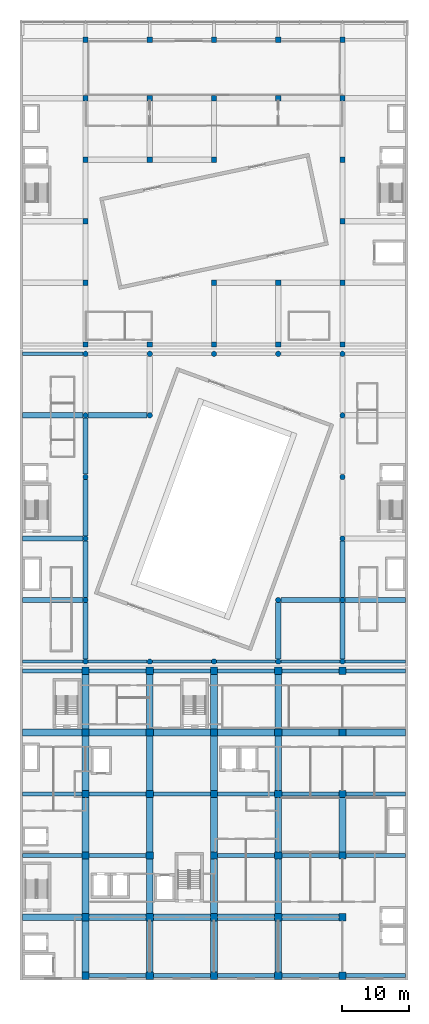
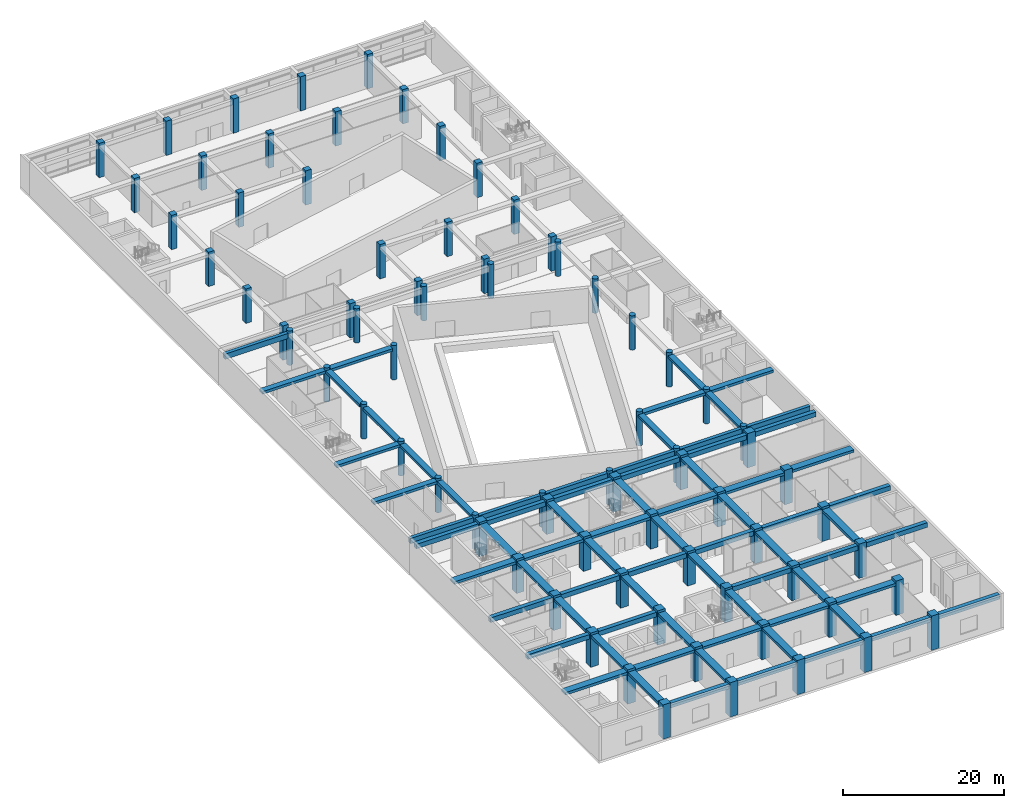
# One storey, part 1 of 31: 75 columns, 74 beams.
"""IFC4 building model written with IfcOpenShell, lengths in metres."""

from ifc_helpers import new_model, si_unit, direction, frame, origin, origin_2d, place, context, subcontext, project, spatial, rectangle, circle, extrude, material, material_profile, profile_set, type_object, element, save


model = new_model("IFC4")

# Units and contexts
model_context = context("Model", 3, precision=1e-05, world=origin(), true_north=direction((0.0, 1.0)))
body_context = subcontext(model_context, "Body", "Model", "MODEL_VIEW")
ifc_project = project(units=[si_unit("LENGTHUNIT", "METRE"), si_unit("AREAUNIT", "SQUARE_METRE"), si_unit("VOLUMEUNIT", "CUBIC_METRE"), si_unit("PLANEANGLEUNIT", "RADIAN"), si_unit("MASSUNIT", "GRAM", prefix="KILO")], contexts=[model_context])

# Site, building, storey
site_placement = place(None, origin())
site = spatial("IfcSite", under=ifc_project, at=site_placement, CompositionType="ELEMENT")
building_placement = place(site_placement, origin())
building = spatial("IfcBuilding", under=site, at=building_placement, Name="Nzadi Deep Aquarium and Research Tower", CompositionType="ELEMENT")
storey_placement = place(building_placement, frame((0.0, 0.0, 26.699951171875)))
storey = spatial("IfcBuildingStorey", under=building, at=storey_placement, Name="L04", CompositionType="ELEMENT", Elevation=26.699951171875)

# Columns
ifc_material_1 = material(Name="Concrete C40/50", Category="concrete")
ifc_material_profile_1 = material_profile(ifc_material_1, rectangle(XDim=1.10009765625, YDim=1.10009765625, at=origin_2d()))
ifc_profile_set_1 = profile_set([ifc_material_profile_1], Name="Concrete C40/50")
column_type_1 = type_object("IfcColumnType", Name="RC 1100x1100", PredefinedType="COLUMN", material=ifc_profile_set_1)
for number, where, z_axis, x_axis, name in (
    (1, (9.60009765625, 0.449951171875, 0.0), (0.0, 0.0, 1.0), (1.0, 0.0, 0.0), "C-Z1-L04-B1"),
    (2, (19.199951171875, 0.449951171875, 0.0), (0.0, 0.0, 1.0), (1.0, 0.0, 0.0), "C-Z1-L04-C1"),
    (3, (28.800048828125, 0.449951171875, 0.0), (0.0, 0.0, 1.0), (1.0, 0.0, 0.0), "C-Z1-L04-D1"),
    (4, (38.39990234375, 0.449951171875, 0.0), (0.0, 0.0, 1.0), (1.0, 0.0, 0.0), "C-Z1-L04-E1"),
    (5, (48.0, 0.449951171875, 0.0), (0.0, 0.0, 1.0), (1.0, 0.0, 0.0), "C-Z1-L04-F1"),
    (6, (9.60009765625, 9.199951171875, 0.0), (0.0, 0.0, 1.0), (1.0, 0.0, 0.0), "C-Z1-L04-B2"),
    (7, (19.199951171875, 9.199951171875, 0.0), (0.0, 0.0, 1.0), (1.0, 0.0, 0.0), "C-Z1-L04-C2"),
    (8, (28.800048828125, 9.199951171875, 0.0), (0.0, 0.0, 1.0), (1.0, 0.0, 0.0), "C-Z1-L04-D2"),
    (9, (38.39990234375, 9.199951171875, 0.0), (0.0, 0.0, 1.0), (1.0, 0.0, 0.0), "C-Z1-L04-E2"),
    (10, (48.0, 9.199951171875, 0.0), (0.0, 0.0, 1.0), (1.0, 0.0, 0.0), "C-Z1-L04-F2"),
    (11, (9.60009765625, 18.39990234375, 0.0), (0.0, 0.0, 1.0), (1.0, 0.0, 0.0), "C-Z1-L04-B3"),
    (12, (19.199951171875, 18.39990234375, 0.0), (0.0, 0.0, 1.0), (1.0, 0.0, 0.0), "C-Z1-L04-C3"),
    (13, (28.800048828125, 18.39990234375, 0.0), (0.0, 0.0, 1.0), (1.0, 0.0, 0.0), "C-Z1-L04-D3"),
    (14, (38.39990234375, 18.39990234375, 0.0), (0.0, 0.0, 1.0), (1.0, 0.0, 0.0), "C-Z1-L04-E3"),
    (15, (48.0, 18.39990234375, 0.0), (0.0, 0.0, 1.0), (1.0, 0.0, 0.0), "C-Z1-L04-F3"),
    (16, (9.60009765625, 27.60009765625, 0.0), (0.0, 0.0, 1.0), (1.0, 0.0, 0.0), "C-Z1-L04-B4"),
    (17, (19.199951171875, 27.60009765625, 0.0), (0.0, 0.0, 1.0), (1.0, 0.0, 0.0), "C-Z1-L04-C4"),
    (18, (28.800048828125, 27.60009765625, 0.0), (0.0, 0.0, 1.0), (1.0, 0.0, 0.0), "C-Z1-L04-D4"),
    (19, (38.39990234375, 27.60009765625, 0.0), (0.0, 0.0, 1.0), (1.0, 0.0, 0.0), "C-Z1-L04-E4"),
    (20, (48.0, 27.60009765625, 0.0), (0.0, 0.0, 1.0), (1.0, 0.0, 0.0), "C-Z1-L04-F4"),
    (21, (9.60009765625, 36.800048828125, 0.0), (0.0, 0.0, 1.0), (1.0, 0.0, 0.0), "C-Z1-L04-B5"),
    (22, (19.199951171875, 36.800048828125, 0.0), (0.0, 0.0, 1.0), (1.0, 0.0, 0.0), "C-Z1-L04-C5"),
    (23, (28.800048828125, 36.800048828125, 0.0), (0.0, 0.0, 1.0), (1.0, 0.0, 0.0), "C-Z1-L04-D5"),
    (24, (38.39990234375, 36.800048828125, 0.0), (0.0, 0.0, 1.0), (1.0, 0.0, 0.0), "C-Z1-L04-E5"),
    (25, (48.0, 36.800048828125, 0.0), (0.0, 0.0, 1.0), (1.0, 0.0, 0.0), "C-Z1-L04-F5"),
    (26, (9.60009765625, 46.0, 0.0), (0.0, 0.0, 1.0), (1.0, 0.0, 0.0), "C-Z1-L04-B6"),
    (27, (19.199951171875, 46.0, 0.0), (0.0, 0.0, 1.0), (1.0, 0.0, 0.0), "C-Z1-L04-C6"),
    (28, (28.800048828125, 46.0, 0.0), (0.0, 0.0, 1.0), (1.0, 0.0, 0.0), "C-Z1-L04-D6"),
    (29, (38.39990234375, 46.0, 0.0), (0.0, 0.0, 1.0), (1.0, 0.0, 0.0), "C-Z1-L04-E6"),
    (30, (48.0, 46.0, 0.0), (0.0, 0.0, 1.0), (1.0, 0.0, 0.0), "C-Z1-L04-F6"),
):
    element("IfcColumn", number, at=place(storey_placement, frame(where, z_axis=z_axis, x_axis=x_axis)), inside=storey, type_object=column_type_1, Name=name, PredefinedType="COLUMN", context=body_context, shape_type="SweptSolid", body=[
        extrude(rectangle(XDim=1.10009765625, YDim=1.10009765625, at=origin_2d()), origin(), (0.0, 0.0, 1.0), 5.199951171875),
    ])
ifc_material_2 = material(Name="Concrete C40/50", Category="concrete")
ifc_material_profile_2 = material_profile(ifc_material_2, rectangle(XDim=0.800048828125, YDim=0.800048828125, at=origin_2d()))
ifc_profile_set_2 = profile_set([ifc_material_profile_2], Name="Concrete C40/50")
column_type_2 = type_object("IfcColumnType", Name="RC 800x800", PredefinedType="COLUMN", material=ifc_profile_set_2)
for number, where, z_axis, x_axis, name in (
    (31, (9.60009765625, 94.800048828125, 0.0), (0.0, 0.0, 1.0), (1.0, 0.0, 0.0), "C-Z3-L04-B13"),
    (32, (19.199951171875, 94.800048828125, 0.0), (0.0, 0.0, 1.0), (1.0, 0.0, 0.0), "C-Z3-L04-C13"),
    (33, (28.800048828125, 94.800048828125, 0.0), (0.0, 0.0, 1.0), (1.0, 0.0, 0.0), "C-Z3-L04-D13"),
    (34, (38.39990234375, 94.800048828125, 0.0), (0.0, 0.0, 1.0), (1.0, 0.0, 0.0), "C-Z3-L04-E13"),
    (35, (48.0, 94.800048828125, 0.0), (0.0, 0.0, 1.0), (1.0, 0.0, 0.0), "C-Z3-L04-F13"),
    (36, (9.60009765625, 104.0, 0.0), (0.0, 0.0, 1.0), (1.0, 0.0, 0.0), "C-Z3-L04-B14"),
    (37, (28.800048828125, 104.0, 0.0), (0.0, 0.0, 1.0), (1.0, 0.0, 0.0), "C-Z3-L04-D14"),
    (38, (38.39990234375, 104.0, 0.0), (0.0, 0.0, 1.0), (1.0, 0.0, 0.0), "C-Z3-L04-E14"),
    (39, (48.0, 104.0, 0.0), (0.0, 0.0, 1.0), (1.0, 0.0, 0.0), "C-Z3-L04-F14"),
    (40, (9.60009765625, 113.199951171875, 0.0), (0.0, 0.0, 1.0), (1.0, 0.0, 0.0), "C-Z3-L04-B15"),
    (41, (48.0, 113.199951171875, 0.0), (0.0, 0.0, 1.0), (1.0, 0.0, 0.0), "C-Z3-L04-F15"),
    (42, (9.60009765625, 122.39990234375, 0.0), (0.0, 0.0, 1.0), (1.0, 0.0, 0.0), "C-Z3-L04-B16"),
    (43, (19.199951171875, 122.39990234375, 0.0), (0.0, 0.0, 1.0), (1.0, 0.0, 0.0), "C-Z3-L04-C16"),
    (44, (28.800048828125, 122.39990234375, 0.0), (0.0, 0.0, 1.0), (1.0, 0.0, 0.0), "C-Z3-L04-D16"),
    (45, (48.0, 122.39990234375, 0.0), (0.0, 0.0, 1.0), (1.0, 0.0, 0.0), "C-Z3-L04-F16"),
    (46, (9.60009765625, 131.60009765625, 0.0), (0.0, 0.0, 1.0), (1.0, 0.0, 0.0), "C-Z3-L04-B17"),
    (47, (19.199951171875, 131.60009765625, 0.0), (0.0, 0.0, 1.0), (1.0, 0.0, 0.0), "C-Z3-L04-C17"),
    (48, (28.800048828125, 131.60009765625, 0.0), (0.0, 0.0, 1.0), (1.0, 0.0, 0.0), "C-Z3-L04-D17"),
    (49, (38.39990234375, 131.60009765625, 0.0), (0.0, 0.0, 1.0), (1.0, 0.0, 0.0), "C-Z3-L04-E17"),
    (50, (48.0, 131.60009765625, 0.0), (0.0, 0.0, 1.0), (1.0, 0.0, 0.0), "C-Z3-L04-F17"),
    (51, (9.60009765625, 140.35009765625, 0.0), (0.0, 0.0, 1.0), (1.0, 0.0, 0.0), "C-Z3-L04-B18"),
    (52, (19.199951171875, 140.35009765625, 0.0), (0.0, 0.0, 1.0), (1.0, 0.0, 0.0), "C-Z3-L04-C18"),
    (53, (28.800048828125, 140.35009765625, 0.0), (0.0, 0.0, 1.0), (1.0, 0.0, 0.0), "C-Z3-L04-D18"),
    (54, (38.39990234375, 140.35009765625, 0.0), (0.0, 0.0, 1.0), (1.0, 0.0, 0.0), "C-Z3-L04-E18"),
    (55, (48.0, 140.35009765625, 0.0), (0.0, 0.0, 1.0), (1.0, 0.0, 0.0), "C-Z3-L04-F18"),
):
    element("IfcColumn", number, at=place(storey_placement, frame(where, z_axis=z_axis, x_axis=x_axis)), inside=storey, type_object=column_type_2, Name=name, PredefinedType="COLUMN", context=body_context, shape_type="SweptSolid", body=[
        extrude(rectangle(XDim=0.800048828125, YDim=0.800048828125, at=origin_2d()), origin(), (0.0, 0.0, 1.0), 5.199951171875),
    ])
ifc_material_3 = material(Name="Concrete C40/50", Category="concrete")
ifc_material_profile_3 = material_profile(ifc_material_3, circle(Radius=0.39990234375, at=origin_2d()))
ifc_profile_set_3 = profile_set([ifc_material_profile_3], Name="Concrete C40/50")
column_type_3 = type_object("IfcColumnType", Name="RC D800", PredefinedType="COLUMN", material=ifc_profile_set_3)
for number, where, z_axis, x_axis, name in (
    (56, (9.60009765625, 47.39990234375, 0.0), (0.0, 0.0, 1.0), (1.0, 0.0, 0.0), "C-Z2-L04-B7"),
    (57, (19.199951171875, 47.39990234375, 0.0), (0.0, 0.0, 1.0), (1.0, 0.0, 0.0), "C-Z2-L04-C7"),
    (58, (28.800048828125, 47.39990234375, 0.0), (0.0, 0.0, 1.0), (1.0, 0.0, 0.0), "C-Z2-L04-D7"),
    (59, (38.39990234375, 47.39990234375, 0.0), (0.0, 0.0, 1.0), (1.0, 0.0, 0.0), "C-Z2-L04-E7"),
    (60, (48.0, 47.39990234375, 0.0), (0.0, 0.0, 1.0), (1.0, 0.0, 0.0), "C-Z2-L04-F7"),
    (61, (9.60009765625, 56.60009765625, 0.0), (0.0, 0.0, 1.0), (1.0, 0.0, 0.0), "C-Z2-L04-B8"),
    (62, (38.39990234375, 56.60009765625, 0.0), (0.0, 0.0, 1.0), (1.0, 0.0, 0.0), "C-Z2-L04-E8"),
    (63, (48.0, 56.60009765625, 0.0), (0.0, 0.0, 1.0), (1.0, 0.0, 0.0), "C-Z2-L04-F8"),
    (64, (9.60009765625, 65.800048828125, 0.0), (0.0, 0.0, 1.0), (1.0, 0.0, 0.0), "C-Z2-L04-B9"),
    (65, (48.0, 65.800048828125, 0.0), (0.0, 0.0, 1.0), (1.0, 0.0, 0.0), "C-Z2-L04-F9"),
    (66, (9.60009765625, 75.0, 0.0), (0.0, 0.0, 1.0), (1.0, 0.0, 0.0), "C-Z2-L04-B10"),
    (67, (48.0, 75.0, 0.0), (0.0, 0.0, 1.0), (1.0, 0.0, 0.0), "C-Z2-L04-F10"),
    (68, (9.60009765625, 84.199951171875, 0.0), (0.0, 0.0, 1.0), (1.0, 0.0, 0.0), "C-Z2-L04-B11"),
    (69, (19.199951171875, 84.199951171875, 0.0), (0.0, 0.0, 1.0), (1.0, 0.0, 0.0), "C-Z2-L04-C11"),
    (70, (48.0, 84.199951171875, 0.0), (0.0, 0.0, 1.0), (1.0, 0.0, 0.0), "C-Z2-L04-F11"),
    (71, (9.60009765625, 93.39990234375, 0.0), (0.0, 0.0, 1.0), (1.0, 0.0, 0.0), "C-Z2-L04-B12"),
    (72, (19.199951171875, 93.39990234375, 0.0), (0.0, 0.0, 1.0), (1.0, 0.0, 0.0), "C-Z2-L04-C12"),
    (73, (28.800048828125, 93.39990234375, 0.0), (0.0, 0.0, 1.0), (1.0, 0.0, 0.0), "C-Z2-L04-D12"),
    (74, (38.39990234375, 93.39990234375, 0.0), (0.0, 0.0, 1.0), (1.0, 0.0, 0.0), "C-Z2-L04-E12"),
    (75, (48.0, 93.39990234375, 0.0), (0.0, 0.0, 1.0), (1.0, 0.0, 0.0), "C-Z2-L04-F12"),
):
    element("IfcColumn", number, at=place(storey_placement, frame(where, z_axis=z_axis, x_axis=x_axis)), inside=storey, type_object=column_type_3, Name=name, PredefinedType="COLUMN", context=body_context, shape_type="SweptSolid", body=[
        extrude(circle(Radius=0.39990234375, at=origin_2d()), origin(), (0.0, 0.0, 1.0), 5.199951171875),
    ])

# Beams
ifc_material_4 = material(Name="Concrete C35/45", Category="concrete")
ifc_material_profile_4 = material_profile(ifc_material_4, rectangle(XDim=1.0, YDim=0.39990234375, at=origin_2d()))
ifc_profile_set_4 = profile_set([ifc_material_profile_4], Name="Concrete C35/45")
beam_type_1 = type_object("IfcBeamType", Name="RC 1000x400", PredefinedType="BEAM", material=ifc_profile_set_4)
beam_1_placement = place(storey_placement, frame((0.199951171875, 9.199951171875, 4.650146484375), z_axis=(1.0, 0.0, 0.0), x_axis=(0.0, 1.0, 0.0)))
element("IfcBeam", 76, at=beam_1_placement, inside=storey, type_object=beam_type_1, Name="B-Z1-L04-L2-1", PredefinedType="BEAM", context=body_context, shape_type="SweptSolid", body=[
    extrude(rectangle(XDim=1.0, YDim=0.39990234375, at=origin_2d()), origin(), (0.0, 0.0, 1.0), 8.85009765625),
])
for number, where, z_axis, x_axis, name in (
    (77, (10.14990234375, 9.199951171875, 4.650146484375), (1.0, 0.0, 0.0), (0.0, 1.0, 0.0), "B-Z1-L04-L2-2"),
    (78, (19.75, 9.199951171875, 4.650146484375), (1.0, 0.0, 0.0), (0.0, 1.0, 0.0), "B-Z1-L04-L2-3"),
    (79, (29.35009765625, 9.199951171875, 4.650146484375), (1.0, 0.0, 0.0), (0.0, 1.0, 0.0), "B-Z1-L04-L2-4"),
    (80, (38.949951171875, 9.199951171875, 4.650146484375), (1.0, 0.0, 0.0), (0.0, 1.0, 0.0), "B-Z1-L04-L2-5"),
):
    element("IfcBeam", number, at=place(storey_placement, frame(where, z_axis=z_axis, x_axis=x_axis)), inside=storey, type_object=beam_type_1, Name=name, PredefinedType="BEAM", context=body_context, shape_type="SweptSolid", body=[
        extrude(rectangle(XDim=1.0, YDim=0.39990234375, at=origin_2d()), origin(), (0.0, 0.0, 1.0), 8.5),
    ])
beam_2_placement = place(storey_placement, frame((0.199951171875, 36.800048828125, 4.650146484375), z_axis=(1.0, 0.0, 0.0), x_axis=(0.0, 1.0, 0.0)))
element("IfcBeam", 81, at=beam_2_placement, inside=storey, type_object=beam_type_1, Name="B-Z1-L04-L5-1", PredefinedType="BEAM", context=body_context, shape_type="SweptSolid", body=[
    extrude(rectangle(XDim=1.0, YDim=0.39990234375, at=origin_2d()), origin(), (0.0, 0.0, 1.0), 8.85009765625),
])
for number, where, z_axis, x_axis, name in (
    (82, (10.14990234375, 36.800048828125, 4.650146484375), (1.0, 0.0, 0.0), (0.0, 1.0, 0.0), "B-Z1-L04-L5-2"),
    (83, (19.75, 36.800048828125, 4.650146484375), (1.0, 0.0, 0.0), (0.0, 1.0, 0.0), "B-Z1-L04-L5-3"),
    (84, (29.35009765625, 36.800048828125, 4.650146484375), (1.0, 0.0, 0.0), (0.0, 1.0, 0.0), "B-Z1-L04-L5-4"),
    (85, (38.949951171875, 36.800048828125, 4.650146484375), (1.0, 0.0, 0.0), (0.0, 1.0, 0.0), "B-Z1-L04-L5-5"),
):
    element("IfcBeam", number, at=place(storey_placement, frame(where, z_axis=z_axis, x_axis=x_axis)), inside=storey, type_object=beam_type_1, Name=name, PredefinedType="BEAM", context=body_context, shape_type="SweptSolid", body=[
        extrude(rectangle(XDim=1.0, YDim=0.39990234375, at=origin_2d()), origin(), (0.0, 0.0, 1.0), 8.5),
    ])
beam_3_placement = place(storey_placement, frame((48.550048828125, 36.800048828125, 4.650146484375), z_axis=(1.0, 0.0, 0.0), x_axis=(0.0, 1.0, 0.0)))
element("IfcBeam", 86, at=beam_3_placement, inside=storey, type_object=beam_type_1, Name="B-Z1-L04-L5-6", PredefinedType="BEAM", context=body_context, shape_type="SweptSolid", body=[
    extrude(rectangle(XDim=1.0, YDim=0.39990234375, at=origin_2d()), origin(), (0.0, 0.0, 1.0), 8.849853515625),
])
beam_4_placement = place(storey_placement, frame((9.60009765625, 1.0, 4.650146484375), z_axis=(0.0, 1.0, 0.0), x_axis=(-1.0, 0.0, 0.0)))
element("IfcBeam", 87, at=beam_4_placement, inside=storey, type_object=beam_type_1, Name="B-Z1-L04-CB-1-1", PredefinedType="BEAM", context=body_context, shape_type="SweptSolid", body=[
    extrude(rectangle(XDim=1.0, YDim=0.39990234375, at=origin_2d()), origin(), (0.0, 0.0, 1.0), 7.64990234375),
])
for number, where, z_axis, x_axis, name in (
    (88, (9.60009765625, 9.75, 4.650146484375), (0.0, 1.0, 0.0), (-1.0, 0.0, 0.0), "B-Z1-L04-CB-2-1"),
    (89, (9.60009765625, 18.949951171875, 4.650146484375), (0.0, 1.0, 0.0), (-1.0, 0.0, 0.0), "B-Z1-L04-CB-3-1"),
    (90, (9.60009765625, 28.14990234375, 4.650146484375), (0.0, 1.0, 0.0), (-1.0, 0.0, 0.0), "B-Z1-L04-CB-4-1"),
):
    element("IfcBeam", number, at=place(storey_placement, frame(where, z_axis=z_axis, x_axis=x_axis)), inside=storey, type_object=beam_type_1, Name=name, PredefinedType="BEAM", context=body_context, shape_type="SweptSolid", body=[
        extrude(rectangle(XDim=1.0, YDim=0.39990234375, at=origin_2d()), origin(), (0.0, 0.0, 1.0), 8.10009765625),
    ])
beam_5_placement = place(storey_placement, frame((9.60009765625, 37.35009765625, 4.650146484375), z_axis=(0.0, 1.0, 0.0), x_axis=(-1.0, 0.0, 0.0)))
element("IfcBeam", 91, at=beam_5_placement, inside=storey, type_object=beam_type_1, Name="B-Z1-L04-CB-5-1", PredefinedType="BEAM", context=body_context, shape_type="SweptSolid", body=[
    extrude(rectangle(XDim=1.0, YDim=0.39990234375, at=origin_2d()), origin(), (0.0, 0.0, 1.0), 8.099853515625),
])
beam_6_placement = place(storey_placement, frame((19.199951171875, 1.0, 4.650146484375), z_axis=(0.0, 1.0, 0.0), x_axis=(-1.0, 0.0, 0.0)))
element("IfcBeam", 92, at=beam_6_placement, inside=storey, type_object=beam_type_1, Name="B-Z1-L04-CC-1-1", PredefinedType="BEAM", context=body_context, shape_type="SweptSolid", body=[
    extrude(rectangle(XDim=1.0, YDim=0.39990234375, at=origin_2d()), origin(), (0.0, 0.0, 1.0), 7.64990234375),
])
for number, where, z_axis, x_axis, name in (
    (93, (19.199951171875, 9.75, 4.650146484375), (0.0, 1.0, 0.0), (-1.0, 0.0, 0.0), "B-Z1-L04-CC-2-1"),
    (94, (19.199951171875, 18.949951171875, 4.650146484375), (0.0, 1.0, 0.0), (-1.0, 0.0, 0.0), "B-Z1-L04-CC-3-1"),
    (95, (19.199951171875, 28.14990234375, 4.650146484375), (0.0, 1.0, 0.0), (-1.0, 0.0, 0.0), "B-Z1-L04-CC-4-1"),
):
    element("IfcBeam", number, at=place(storey_placement, frame(where, z_axis=z_axis, x_axis=x_axis)), inside=storey, type_object=beam_type_1, Name=name, PredefinedType="BEAM", context=body_context, shape_type="SweptSolid", body=[
        extrude(rectangle(XDim=1.0, YDim=0.39990234375, at=origin_2d()), origin(), (0.0, 0.0, 1.0), 8.10009765625),
    ])
beam_7_placement = place(storey_placement, frame((19.199951171875, 37.35009765625, 4.650146484375), z_axis=(0.0, 1.0, 0.0), x_axis=(-1.0, 0.0, 0.0)))
element("IfcBeam", 96, at=beam_7_placement, inside=storey, type_object=beam_type_1, Name="B-Z1-L04-CC-5-1", PredefinedType="BEAM", context=body_context, shape_type="SweptSolid", body=[
    extrude(rectangle(XDim=1.0, YDim=0.39990234375, at=origin_2d()), origin(), (0.0, 0.0, 1.0), 8.099853515625),
])
beam_8_placement = place(storey_placement, frame((28.800048828125, 1.0, 4.650146484375), z_axis=(0.0, 1.0, 0.0), x_axis=(-1.0, 0.0, 0.0)))
element("IfcBeam", 97, at=beam_8_placement, inside=storey, type_object=beam_type_1, Name="B-Z1-L04-CD-1-1", PredefinedType="BEAM", context=body_context, shape_type="SweptSolid", body=[
    extrude(rectangle(XDim=1.0, YDim=0.39990234375, at=origin_2d()), origin(), (0.0, 0.0, 1.0), 7.64990234375),
])
for number, where, z_axis, x_axis, name in (
    (98, (28.800048828125, 9.75, 4.650146484375), (0.0, 1.0, 0.0), (-1.0, 0.0, 0.0), "B-Z1-L04-CD-2-1"),
    (99, (28.800048828125, 18.949951171875, 4.650146484375), (0.0, 1.0, 0.0), (-1.0, 0.0, 0.0), "B-Z1-L04-CD-3-1"),
    (100, (28.800048828125, 28.14990234375, 4.650146484375), (0.0, 1.0, 0.0), (-1.0, 0.0, 0.0), "B-Z1-L04-CD-4-1"),
):
    element("IfcBeam", number, at=place(storey_placement, frame(where, z_axis=z_axis, x_axis=x_axis)), inside=storey, type_object=beam_type_1, Name=name, PredefinedType="BEAM", context=body_context, shape_type="SweptSolid", body=[
        extrude(rectangle(XDim=1.0, YDim=0.39990234375, at=origin_2d()), origin(), (0.0, 0.0, 1.0), 8.10009765625),
    ])
beam_9_placement = place(storey_placement, frame((28.800048828125, 37.35009765625, 4.650146484375), z_axis=(0.0, 1.0, 0.0), x_axis=(-1.0, 0.0, 0.0)))
element("IfcBeam", 101, at=beam_9_placement, inside=storey, type_object=beam_type_1, Name="B-Z1-L04-CD-5-1", PredefinedType="BEAM", context=body_context, shape_type="SweptSolid", body=[
    extrude(rectangle(XDim=1.0, YDim=0.39990234375, at=origin_2d()), origin(), (0.0, 0.0, 1.0), 8.099853515625),
])
beam_10_placement = place(storey_placement, frame((38.39990234375, 1.0, 4.650146484375), z_axis=(0.0, 1.0, 0.0), x_axis=(-1.0, 0.0, 0.0)))
element("IfcBeam", 102, at=beam_10_placement, inside=storey, type_object=beam_type_1, Name="B-Z1-L04-CE-1-1", PredefinedType="BEAM", context=body_context, shape_type="SweptSolid", body=[
    extrude(rectangle(XDim=1.0, YDim=0.39990234375, at=origin_2d()), origin(), (0.0, 0.0, 1.0), 7.64990234375),
])
for number, where, z_axis, x_axis, name in (
    (103, (38.39990234375, 9.75, 4.650146484375), (0.0, 1.0, 0.0), (-1.0, 0.0, 0.0), "B-Z1-L04-CE-2-1"),
    (104, (38.39990234375, 18.949951171875, 4.650146484375), (0.0, 1.0, 0.0), (-1.0, 0.0, 0.0), "B-Z1-L04-CE-3-1"),
    (105, (38.39990234375, 28.14990234375, 4.650146484375), (0.0, 1.0, 0.0), (-1.0, 0.0, 0.0), "B-Z1-L04-CE-4-1"),
):
    element("IfcBeam", number, at=place(storey_placement, frame(where, z_axis=z_axis, x_axis=x_axis)), inside=storey, type_object=beam_type_1, Name=name, PredefinedType="BEAM", context=body_context, shape_type="SweptSolid", body=[
        extrude(rectangle(XDim=1.0, YDim=0.39990234375, at=origin_2d()), origin(), (0.0, 0.0, 1.0), 8.10009765625),
    ])
beam_11_placement = place(storey_placement, frame((38.39990234375, 37.35009765625, 4.650146484375), z_axis=(0.0, 1.0, 0.0), x_axis=(-1.0, 0.0, 0.0)))
element("IfcBeam", 106, at=beam_11_placement, inside=storey, type_object=beam_type_1, Name="B-Z1-L04-CE-5-1", PredefinedType="BEAM", context=body_context, shape_type="SweptSolid", body=[
    extrude(rectangle(XDim=1.0, YDim=0.39990234375, at=origin_2d()), origin(), (0.0, 0.0, 1.0), 8.099853515625),
])
beam_12_placement = place(storey_placement, frame((48.0, 18.949951171875, 4.650146484375), z_axis=(0.0, 1.0, 0.0), x_axis=(-1.0, 0.0, 0.0)))
element("IfcBeam", 107, at=beam_12_placement, inside=storey, type_object=beam_type_1, Name="B-Z1-L04-CF-3-1", PredefinedType="BEAM", context=body_context, shape_type="SweptSolid", body=[
    extrude(rectangle(XDim=1.0, YDim=0.39990234375, at=origin_2d()), origin(), (0.0, 0.0, 1.0), 8.10009765625),
])
ifc_material_5 = material(Name="Concrete C40/50", Category="concrete")
ifc_material_profile_5 = material_profile(ifc_material_5, rectangle(XDim=0.5, YDim=0.800048828125, at=origin_2d()))
ifc_profile_set_5 = profile_set([ifc_material_profile_5], Name="Concrete C40/50")
beam_type_2 = type_object("IfcBeamType", Name="RC 500x800", PredefinedType="BEAM", material=ifc_profile_set_5)
beam_13_placement = place(storey_placement, frame((0.199951171875, 47.39990234375, 4.449951171875), z_axis=(1.0, 0.0, 0.0), x_axis=(0.0, 1.0, 0.0)))
element("IfcBeam", 108, at=beam_13_placement, inside=storey, type_object=beam_type_2, Name="B-Z2-L04-L7-1", PredefinedType="BEAM", context=body_context, shape_type="SweptSolid", body=[
    extrude(rectangle(XDim=0.5, YDim=0.800048828125, at=origin_2d()), origin(), (0.0, 0.0, 1.0), 9.0),
])
beam_14_placement = place(storey_placement, frame((10.0, 47.39990234375, 4.449951171875), z_axis=(1.0, 0.0, 0.0), x_axis=(0.0, 1.0, 0.0)))
element("IfcBeam", 109, at=beam_14_placement, inside=storey, type_object=beam_type_2, Name="B-Z2-L04-L7-2", PredefinedType="BEAM", context=body_context, shape_type="SweptSolid", body=[
    extrude(rectangle(XDim=0.5, YDim=0.800048828125, at=origin_2d()), origin(), (0.0, 0.0, 1.0), 8.800048828125),
])
beam_15_placement = place(storey_placement, frame((19.60009765625, 47.39990234375, 4.449951171875), z_axis=(1.0, 0.0, 0.0), x_axis=(0.0, 1.0, 0.0)))
element("IfcBeam", 110, at=beam_15_placement, inside=storey, type_object=beam_type_2, Name="B-Z2-L04-L7-3", PredefinedType="BEAM", context=body_context, shape_type="SweptSolid", body=[
    extrude(rectangle(XDim=0.5, YDim=0.800048828125, at=origin_2d()), origin(), (0.0, 0.0, 1.0), 8.7998046875),
])
for number, where, z_axis, x_axis, name in (
    (111, (29.199951171875, 47.39990234375, 4.449951171875), (1.0, 0.0, 0.0), (0.0, 1.0, 0.0), "B-Z2-L04-L7-4"),
    (112, (38.800048828125, 47.39990234375, 4.449951171875), (1.0, 0.0, 0.0), (0.0, 1.0, 0.0), "B-Z2-L04-L7-5"),
):
    element("IfcBeam", number, at=place(storey_placement, frame(where, z_axis=z_axis, x_axis=x_axis)), inside=storey, type_object=beam_type_2, Name=name, PredefinedType="BEAM", context=body_context, shape_type="SweptSolid", body=[
        extrude(rectangle(XDim=0.5, YDim=0.800048828125, at=origin_2d()), origin(), (0.0, 0.0, 1.0), 8.800048828125),
    ])
for number, where, z_axis, x_axis, name in (
    (113, (48.39990234375, 47.39990234375, 4.449951171875), (1.0, 0.0, 0.0), (0.0, 1.0, 0.0), "B-Z2-L04-L7-6"),
    (114, (0.199951171875, 93.39990234375, 4.449951171875), (1.0, 0.0, 0.0), (0.0, 1.0, 0.0), "B-Z2-L04-L12-1"),
):
    element("IfcBeam", number, at=place(storey_placement, frame(where, z_axis=z_axis, x_axis=x_axis)), inside=storey, type_object=beam_type_2, Name=name, PredefinedType="BEAM", context=body_context, shape_type="SweptSolid", body=[
        extrude(rectangle(XDim=0.5, YDim=0.800048828125, at=origin_2d()), origin(), (0.0, 0.0, 1.0), 9.0),
    ])
ifc_material_6 = material(Name="Concrete C35/45", Category="concrete")
ifc_material_profile_6 = material_profile(ifc_material_6, rectangle(XDim=0.60009765625, YDim=0.699951171875, at=origin_2d()))
ifc_profile_set_6 = profile_set([ifc_material_profile_6], Name="Concrete C35/45")
beam_type_3 = type_object("IfcBeamType", Name="RC 600x700", PredefinedType="BEAM", material=ifc_profile_set_6)
for number, where, z_axis, x_axis, name in (
    (115, (10.14990234375, 0.449951171875, 4.5), (1.0, 0.0, 0.0), (0.0, 1.0, 0.0), "B-Z1-L04-L1-2"),
    (116, (19.75, 0.449951171875, 4.5), (1.0, 0.0, 0.0), (0.0, 1.0, 0.0), "B-Z1-L04-L1-3"),
    (117, (29.35009765625, 0.449951171875, 4.5), (1.0, 0.0, 0.0), (0.0, 1.0, 0.0), "B-Z1-L04-L1-4"),
    (118, (38.949951171875, 0.449951171875, 4.5), (1.0, 0.0, 0.0), (0.0, 1.0, 0.0), "B-Z1-L04-L1-5"),
):
    element("IfcBeam", number, at=place(storey_placement, frame(where, z_axis=z_axis, x_axis=x_axis)), inside=storey, type_object=beam_type_3, Name=name, PredefinedType="BEAM", context=body_context, shape_type="SweptSolid", body=[
        extrude(rectangle(XDim=0.60009765625, YDim=0.699951171875, at=origin_2d()), origin(), (0.0, 0.0, 1.0), 8.5),
    ])
beam_16_placement = place(storey_placement, frame((48.550048828125, 0.449951171875, 4.5), z_axis=(1.0, 0.0, 0.0), x_axis=(0.0, 1.0, 0.0)))
element("IfcBeam", 119, at=beam_16_placement, inside=storey, type_object=beam_type_3, Name="B-Z1-L04-L1-6", PredefinedType="BEAM", context=body_context, shape_type="SweptSolid", body=[
    extrude(rectangle(XDim=0.60009765625, YDim=0.699951171875, at=origin_2d()), origin(), (0.0, 0.0, 1.0), 8.849853515625),
])
beam_17_placement = place(storey_placement, frame((0.199951171875, 18.39990234375, 4.5), z_axis=(1.0, 0.0, 0.0), x_axis=(0.0, 1.0, 0.0)))
element("IfcBeam", 120, at=beam_17_placement, inside=storey, type_object=beam_type_3, Name="B-Z1-L04-L3-1", PredefinedType="BEAM", context=body_context, shape_type="SweptSolid", body=[
    extrude(rectangle(XDim=0.60009765625, YDim=0.699951171875, at=origin_2d()), origin(), (0.0, 0.0, 1.0), 8.85009765625),
])
for number, where, z_axis, x_axis, name in (
    (121, (10.14990234375, 18.39990234375, 4.5), (1.0, 0.0, 0.0), (0.0, 1.0, 0.0), "B-Z1-L04-L3-2"),
    (122, (29.35009765625, 18.39990234375, 4.5), (1.0, 0.0, 0.0), (0.0, 1.0, 0.0), "B-Z1-L04-L3-4"),
    (123, (38.949951171875, 18.39990234375, 4.5), (1.0, 0.0, 0.0), (0.0, 1.0, 0.0), "B-Z1-L04-L3-5"),
):
    element("IfcBeam", number, at=place(storey_placement, frame(where, z_axis=z_axis, x_axis=x_axis)), inside=storey, type_object=beam_type_3, Name=name, PredefinedType="BEAM", context=body_context, shape_type="SweptSolid", body=[
        extrude(rectangle(XDim=0.60009765625, YDim=0.699951171875, at=origin_2d()), origin(), (0.0, 0.0, 1.0), 8.5),
    ])
beam_18_placement = place(storey_placement, frame((48.550048828125, 18.39990234375, 4.5), z_axis=(1.0, 0.0, 0.0), x_axis=(0.0, 1.0, 0.0)))
element("IfcBeam", 124, at=beam_18_placement, inside=storey, type_object=beam_type_3, Name="B-Z1-L04-L3-6", PredefinedType="BEAM", context=body_context, shape_type="SweptSolid", body=[
    extrude(rectangle(XDim=0.60009765625, YDim=0.699951171875, at=origin_2d()), origin(), (0.0, 0.0, 1.0), 8.849853515625),
])
beam_19_placement = place(storey_placement, frame((0.199951171875, 27.60009765625, 4.5), z_axis=(1.0, 0.0, 0.0), x_axis=(0.0, 1.0, 0.0)))
element("IfcBeam", 125, at=beam_19_placement, inside=storey, type_object=beam_type_3, Name="B-Z1-L04-L4-1", PredefinedType="BEAM", context=body_context, shape_type="SweptSolid", body=[
    extrude(rectangle(XDim=0.60009765625, YDim=0.699951171875, at=origin_2d()), origin(), (0.0, 0.0, 1.0), 8.85009765625),
])
for number, where, z_axis, x_axis, name in (
    (126, (10.14990234375, 27.60009765625, 4.5), (1.0, 0.0, 0.0), (0.0, 1.0, 0.0), "B-Z1-L04-L4-2"),
    (127, (19.75, 27.60009765625, 4.5), (1.0, 0.0, 0.0), (0.0, 1.0, 0.0), "B-Z1-L04-L4-3"),
    (128, (29.35009765625, 27.60009765625, 4.5), (1.0, 0.0, 0.0), (0.0, 1.0, 0.0), "B-Z1-L04-L4-4"),
    (129, (38.949951171875, 27.60009765625, 4.5), (1.0, 0.0, 0.0), (0.0, 1.0, 0.0), "B-Z1-L04-L4-5"),
):
    element("IfcBeam", number, at=place(storey_placement, frame(where, z_axis=z_axis, x_axis=x_axis)), inside=storey, type_object=beam_type_3, Name=name, PredefinedType="BEAM", context=body_context, shape_type="SweptSolid", body=[
        extrude(rectangle(XDim=0.60009765625, YDim=0.699951171875, at=origin_2d()), origin(), (0.0, 0.0, 1.0), 8.5),
    ])
beam_20_placement = place(storey_placement, frame((48.550048828125, 27.60009765625, 4.5), z_axis=(1.0, 0.0, 0.0), x_axis=(0.0, 1.0, 0.0)))
element("IfcBeam", 130, at=beam_20_placement, inside=storey, type_object=beam_type_3, Name="B-Z1-L04-L4-6", PredefinedType="BEAM", context=body_context, shape_type="SweptSolid", body=[
    extrude(rectangle(XDim=0.60009765625, YDim=0.699951171875, at=origin_2d()), origin(), (0.0, 0.0, 1.0), 8.849853515625),
])
beam_21_placement = place(storey_placement, frame((0.199951171875, 46.0, 4.5), z_axis=(1.0, 0.0, 0.0), x_axis=(0.0, 1.0, 0.0)))
element("IfcBeam", 131, at=beam_21_placement, inside=storey, type_object=beam_type_3, Name="B-Z1-L04-L6-1", PredefinedType="BEAM", context=body_context, shape_type="SweptSolid", body=[
    extrude(rectangle(XDim=0.60009765625, YDim=0.699951171875, at=origin_2d()), origin(), (0.0, 0.0, 1.0), 8.85009765625),
])
for number, where, z_axis, x_axis, name in (
    (132, (10.14990234375, 46.0, 4.5), (1.0, 0.0, 0.0), (0.0, 1.0, 0.0), "B-Z1-L04-L6-2"),
    (133, (19.75, 46.0, 4.5), (1.0, 0.0, 0.0), (0.0, 1.0, 0.0), "B-Z1-L04-L6-3"),
    (134, (29.35009765625, 46.0, 4.5), (1.0, 0.0, 0.0), (0.0, 1.0, 0.0), "B-Z1-L04-L6-4"),
    (135, (38.949951171875, 46.0, 4.5), (1.0, 0.0, 0.0), (0.0, 1.0, 0.0), "B-Z1-L04-L6-5"),
):
    element("IfcBeam", number, at=place(storey_placement, frame(where, z_axis=z_axis, x_axis=x_axis)), inside=storey, type_object=beam_type_3, Name=name, PredefinedType="BEAM", context=body_context, shape_type="SweptSolid", body=[
        extrude(rectangle(XDim=0.60009765625, YDim=0.699951171875, at=origin_2d()), origin(), (0.0, 0.0, 1.0), 8.5),
    ])
beam_22_placement = place(storey_placement, frame((48.550048828125, 46.0, 4.5), z_axis=(1.0, 0.0, 0.0), x_axis=(0.0, 1.0, 0.0)))
element("IfcBeam", 136, at=beam_22_placement, inside=storey, type_object=beam_type_3, Name="B-Z1-L04-L6-6", PredefinedType="BEAM", context=body_context, shape_type="SweptSolid", body=[
    extrude(rectangle(XDim=0.60009765625, YDim=0.699951171875, at=origin_2d()), origin(), (0.0, 0.0, 1.0), 8.849853515625),
])
ifc_material_7 = material(Name="Concrete C35/45", Category="concrete")
ifc_material_profile_7 = material_profile(ifc_material_7, rectangle(XDim=0.800048828125, YDim=0.39990234375, at=origin_2d()))
ifc_profile_set_7 = profile_set([ifc_material_profile_7], Name="Concrete C35/45")
beam_type_4 = type_object("IfcBeamType", Name="RC 800x400", PredefinedType="BEAM", material=ifc_profile_set_7)
beam_23_placement = place(storey_placement, frame((0.199951171875, 56.60009765625, 4.650146484375), z_axis=(1.0, 0.0, 0.0), x_axis=(0.0, 1.0, 0.0)))
element("IfcBeam", 137, at=beam_23_placement, inside=storey, type_object=beam_type_4, Name="B-Z2-L04-L8-1", PredefinedType="BEAM", context=body_context, shape_type="SweptSolid", body=[
    extrude(rectangle(XDim=0.800048828125, YDim=0.39990234375, at=origin_2d()), origin(), (0.0, 0.0, 1.0), 9.0),
])
beam_24_placement = place(storey_placement, frame((38.800048828125, 56.60009765625, 4.650146484375), z_axis=(1.0, 0.0, 0.0), x_axis=(0.0, 1.0, 0.0)))
element("IfcBeam", 138, at=beam_24_placement, inside=storey, type_object=beam_type_4, Name="B-Z2-L04-L8-5", PredefinedType="BEAM", context=body_context, shape_type="SweptSolid", body=[
    extrude(rectangle(XDim=0.800048828125, YDim=0.39990234375, at=origin_2d()), origin(), (0.0, 0.0, 1.0), 8.800048828125),
])
for number, where, z_axis, x_axis, name in (
    (139, (48.39990234375, 56.60009765625, 4.650146484375), (1.0, 0.0, 0.0), (0.0, 1.0, 0.0), "B-Z2-L04-L8-6"),
    (140, (0.199951171875, 65.800048828125, 4.650146484375), (1.0, 0.0, 0.0), (0.0, 1.0, 0.0), "B-Z2-L04-L9-1"),
    (141, (0.199951171875, 84.199951171875, 4.650146484375), (1.0, 0.0, 0.0), (0.0, 1.0, 0.0), "B-Z2-L04-L11-1"),
):
    element("IfcBeam", number, at=place(storey_placement, frame(where, z_axis=z_axis, x_axis=x_axis)), inside=storey, type_object=beam_type_4, Name=name, PredefinedType="BEAM", context=body_context, shape_type="SweptSolid", body=[
        extrude(rectangle(XDim=0.800048828125, YDim=0.39990234375, at=origin_2d()), origin(), (0.0, 0.0, 1.0), 9.0),
    ])
beam_25_placement = place(storey_placement, frame((10.0, 84.199951171875, 4.650146484375), z_axis=(1.0, 0.0, 0.0), x_axis=(0.0, 1.0, 0.0)))
element("IfcBeam", 142, at=beam_25_placement, inside=storey, type_object=beam_type_4, Name="B-Z2-L04-L11-2", PredefinedType="BEAM", context=body_context, shape_type="SweptSolid", body=[
    extrude(rectangle(XDim=0.800048828125, YDim=0.39990234375, at=origin_2d()), origin(), (0.0, 0.0, 1.0), 8.800048828125),
])
for number, where, z_axis, x_axis, name in (
    (143, (9.60009765625, 47.800048828125, 4.650146484375), (0.0, 1.0, 0.0), (-1.0, 0.0, 0.0), "B-Z2-L04-CB-1-7"),
    (144, (9.60009765625, 57.0, 4.650146484375), (0.0, 1.0, 0.0), (-1.0, 0.0, 0.0), "B-Z2-L04-CB-2-7"),
):
    element("IfcBeam", number, at=place(storey_placement, frame(where, z_axis=z_axis, x_axis=x_axis)), inside=storey, type_object=beam_type_4, Name=name, PredefinedType="BEAM", context=body_context, shape_type="SweptSolid", body=[
        extrude(rectangle(XDim=0.800048828125, YDim=0.39990234375, at=origin_2d()), origin(), (0.0, 0.0, 1.0), 8.39990234375),
    ])
for number, where, z_axis, x_axis, name in (
    (145, (9.60009765625, 66.199951171875, 4.650146484375), (0.0, 1.0, 0.0), (-1.0, 0.0, 0.0), "B-Z2-L04-CB-3-7"),
    (146, (9.60009765625, 75.39990234375, 4.650146484375), (0.0, 1.0, 0.0), (-1.0, 0.0, 0.0), "B-Z2-L04-CB-4-7"),
):
    element("IfcBeam", number, at=place(storey_placement, frame(where, z_axis=z_axis, x_axis=x_axis)), inside=storey, type_object=beam_type_4, Name=name, PredefinedType="BEAM", context=body_context, shape_type="SweptSolid", body=[
        extrude(rectangle(XDim=0.800048828125, YDim=0.39990234375, at=origin_2d()), origin(), (0.0, 0.0, 1.0), 8.400146484375),
    ])
for number, where, z_axis, x_axis, name in (
    (147, (38.39990234375, 47.800048828125, 4.650146484375), (0.0, 1.0, 0.0), (-1.0, 0.0, 0.0), "B-Z2-L04-CE-1-7"),
    (148, (48.0, 47.800048828125, 4.650146484375), (0.0, 1.0, 0.0), (-1.0, 0.0, 0.0), "B-Z2-L04-CF-1-7"),
    (149, (48.0, 57.0, 4.650146484375), (0.0, 1.0, 0.0), (-1.0, 0.0, 0.0), "B-Z2-L04-CF-2-7"),
):
    element("IfcBeam", number, at=place(storey_placement, frame(where, z_axis=z_axis, x_axis=x_axis)), inside=storey, type_object=beam_type_4, Name=name, PredefinedType="BEAM", context=body_context, shape_type="SweptSolid", body=[
        extrude(rectangle(XDim=0.800048828125, YDim=0.39990234375, at=origin_2d()), origin(), (0.0, 0.0, 1.0), 8.39990234375),
    ])

save(model, "model.ifc")
